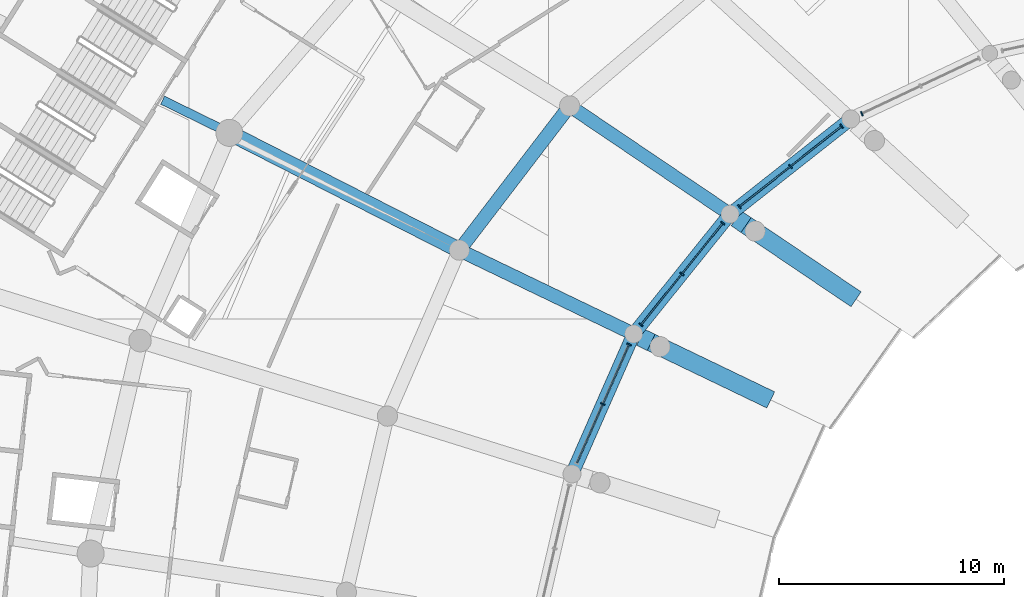
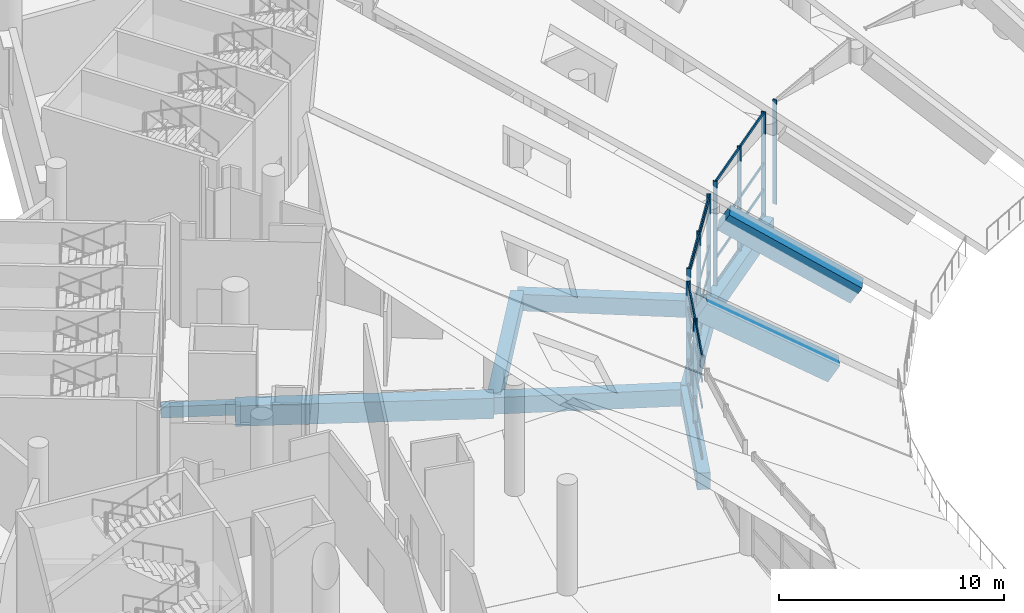
# One storey, part 61 of 249: 37 members, 10 beams, 4 elements without a shape of their own.
"""IFC4 building model written with IfcOpenShell, lengths in metres."""

from ifc_helpers import new_model, si_unit, direction, frame, origin, origin_2d, place, context, subcontext, project, spatial, rectangle, extrude, material, layer, layer_set, material_profile, profile_set, type_object, element, aggregate, save


model = new_model("IFC4")

# Units and contexts
model_context = context("Model", 3, precision=1e-05, world=origin(), true_north=direction((0.0, 1.0)))
body_context = subcontext(model_context, "Body", "Model", "MODEL_VIEW")
ifc_project = project(units=[si_unit("LENGTHUNIT", "METRE"), si_unit("AREAUNIT", "SQUARE_METRE"), si_unit("VOLUMEUNIT", "CUBIC_METRE"), si_unit("PLANEANGLEUNIT", "RADIAN"), si_unit("MASSUNIT", "GRAM", prefix="KILO")], contexts=[model_context])

# Site, building, storey
site_placement = place(None, origin())
site = spatial("IfcSite", under=ifc_project, at=site_placement, CompositionType="ELEMENT")
building_placement = place(site_placement, origin())
building = spatial("IfcBuilding", under=site, at=building_placement, Name="Meseta Stadium", CompositionType="ELEMENT")
storey_placement = place(building_placement, frame((0.0, 0.0, 12.0)))
storey = spatial("IfcBuildingStorey", under=building, at=storey_placement, Name="L02", CompositionType="ELEMENT", Elevation=12.0)

# Curtain wall, member
ifc_material_1 = material(Name="Aluminium", Category="aluminium")
ifc_layer = layer(ifc_material_1, 0.199951171875)
ifc_layer_set = layer_set([ifc_layer], Name="Suite glazing curtain wall")
curtain_wall_type = type_object("IfcCurtainWallType", Name="Suite glazing curtain wall", PredefinedType="NOTDEFINED", material=ifc_layer_set)
curtain_wall_1_placement = place(storey_placement, origin())
curtain_wall_1 = element("IfcCurtainWall", 1, at=curtain_wall_1_placement, inside=storey, type_object=curtain_wall_type, Name="Suite glazing bay 23", PredefinedType="NOTDEFINED")
ifc_material_2 = material(Name="Aluminium", Category="aluminium")
ifc_material_profile_1 = material_profile(ifc_material_2, rectangle(XDim=0.199951171875, YDim=0.06005859375, at=origin_2d()), Name="CW 200x60")
ifc_profile_set_1 = profile_set([ifc_material_profile_1], Name="Aluminium")
member_type_1 = type_object("IfcMemberType", Name="CW mullion 60x200", PredefinedType="MULLION", material=ifc_profile_set_1)
member_1_placement = place(storey_placement, frame((-50.076416015625, 73.12255859375, 0.0), z_axis=(0.0, 0.0, 1.0), x_axis=(0.426837356076, -0.904328409074, 0.0)))
member_1 = element("IfcMember", 2, at=member_1_placement, type_object=member_type_1, Name="CWS mullion 3", PredefinedType="MULLION", context=body_context, shape_type="SweptSolid", body=[
    extrude(rectangle(XDim=0.199951171875, YDim=0.06005859375, at=origin_2d()), origin(), (0.0, 0.0, 1.0), 5.64990234375),
])
aggregate(curtain_wall_1, [member_1])

# Curtain wall, members
curtain_wall_2_placement = place(storey_placement, origin())
curtain_wall_2 = element("IfcCurtainWall", 3, at=curtain_wall_2_placement, inside=storey, type_object=curtain_wall_type, Name="Suite glazing bay 24", PredefinedType="NOTDEFINED")
member_2_placement = place(storey_placement, frame((-50.976318359375, 72.56982421875, 0.0), z_axis=(0.0, 0.0, 1.0), x_axis=(0.61894425509, -0.785434917158, 0.0)))
member_2 = element("IfcMember", 4, at=member_2_placement, type_object=member_type_1, Name="CWS mullion 1", PredefinedType="MULLION", context=body_context, shape_type="SweptSolid", body=[
    extrude(rectangle(XDim=0.199951171875, YDim=0.06005859375, at=origin_2d()), origin(), (0.0, 0.0, 1.0), 5.64990234375),
])
member_3_placement = place(storey_placement, frame((-53.2490234375, 70.77880859375, 0.0), z_axis=(0.0, 0.0, 1.0), x_axis=(0.61894425509, -0.785434917158, 0.0)))
member_3 = element("IfcMember", 5, at=member_3_placement, type_object=member_type_1, Name="CWS mullion 2", PredefinedType="MULLION", context=body_context, shape_type="SweptSolid", body=[
    extrude(rectangle(XDim=0.199951171875, YDim=0.06005859375, at=origin_2d()), origin(), (0.0, 0.0, 1.0), 5.64990234375),
])
member_4_placement = place(storey_placement, frame((-55.521728515625, 68.98779296875, 0.0), z_axis=(0.0, 0.0, 1.0), x_axis=(0.61894425509, -0.785434917158, 0.0)))
member_4 = element("IfcMember", 6, at=member_4_placement, type_object=member_type_1, Name="CWS mullion 3", PredefinedType="MULLION", context=body_context, shape_type="SweptSolid", body=[
    extrude(rectangle(XDim=0.199951171875, YDim=0.06005859375, at=origin_2d()), origin(), (0.0, 0.0, 1.0), 5.64990234375),
])

curtain_wall_3_placement = place(storey_placement, origin())
curtain_wall_3 = element("IfcCurtainWall", 7, at=curtain_wall_3_placement, inside=storey, type_object=curtain_wall_type, Name="Suite glazing bay 25", PredefinedType="NOTDEFINED")
member_5_placement = place(storey_placement, frame((-56.26025390625, 68.260009765625, 0.0), z_axis=(0.0, 0.0, 1.0), x_axis=(0.779453526357, -0.626460054791, 0.0)))
member_5 = element("IfcMember", 8, at=member_5_placement, type_object=member_type_1, Name="CWS mullion 1", PredefinedType="MULLION", context=body_context, shape_type="SweptSolid", body=[
    extrude(rectangle(XDim=0.199951171875, YDim=0.06005859375, at=origin_2d()), origin(), (0.0, 0.0, 1.0), 5.64990234375),
])
member_6_placement = place(storey_placement, frame((-58.07763671875, 65.998779296875, 0.0), z_axis=(0.0, 0.0, 1.0), x_axis=(0.779453526357, -0.626460054791, 0.0)))
member_6 = element("IfcMember", 9, at=member_6_placement, type_object=member_type_1, Name="CWS mullion 2", PredefinedType="MULLION", context=body_context, shape_type="SweptSolid", body=[
    extrude(rectangle(XDim=0.199951171875, YDim=0.06005859375, at=origin_2d()), origin(), (0.0, 0.0, 1.0), 5.64990234375),
])
member_7_placement = place(storey_placement, frame((-59.895263671875, 63.7373046875, 0.0), z_axis=(0.0, 0.0, 1.0), x_axis=(0.779453526357, -0.626460054791, 0.0)))
member_7 = element("IfcMember", 10, at=member_7_placement, type_object=member_type_1, Name="CWS mullion 3", PredefinedType="MULLION", context=body_context, shape_type="SweptSolid", body=[
    extrude(rectangle(XDim=0.199951171875, YDim=0.06005859375, at=origin_2d()), origin(), (0.0, 0.0, 1.0), 5.64990234375),
])

curtain_wall_4_placement = place(storey_placement, origin())
curtain_wall_4 = element("IfcCurtainWall", 11, at=curtain_wall_4_placement, inside=storey, type_object=curtain_wall_type, Name="Suite glazing bay 26", PredefinedType="NOTDEFINED")
member_8_placement = place(storey_placement, frame((-60.42724609375, 62.864501953125, 0.0), z_axis=(0.0, 0.0, 1.0), x_axis=(0.915207323968, -0.402983317466, 0.0)))
member_8 = element("IfcMember", 12, at=member_8_placement, type_object=member_type_1, Name="CWS mullion 1", PredefinedType="MULLION", context=body_context, shape_type="SweptSolid", body=[
    extrude(rectangle(XDim=0.199951171875, YDim=0.06005859375, at=origin_2d()), origin(), (0.0, 0.0, 1.0), 5.64990234375),
])
member_9_placement = place(storey_placement, frame((-61.59228515625, 60.21875, 0.0), z_axis=(0.0, 0.0, 1.0), x_axis=(0.915207323968, -0.402983317466, 0.0)))
member_9 = element("IfcMember", 13, at=member_9_placement, type_object=member_type_1, Name="CWS mullion 2", PredefinedType="MULLION", context=body_context, shape_type="SweptSolid", body=[
    extrude(rectangle(XDim=0.199951171875, YDim=0.06005859375, at=origin_2d()), origin(), (0.0, 0.0, 1.0), 5.64990234375),
])

# Member
ifc_material_3 = material(Name="Aluminium", Category="aluminium")
ifc_material_profile_2 = material_profile(ifc_material_3, rectangle(XDim=0.06005859375, YDim=0.14990234375, at=origin_2d()), Name="CW 60x150")
ifc_profile_set_2 = profile_set([ifc_material_profile_2], Name="Aluminium")
member_type_2 = type_object("IfcMemberType", Name="CW transom 60x150", PredefinedType="USERDEFINED", material=ifc_profile_set_2)
member_10_placement = place(storey_placement, frame((-51.0, 72.55126953125, 0.074951171875), z_axis=(-0.785420592413, -0.618962432635, 0.0), x_axis=(0.618962432635, -0.785420592413, 0.0)))
member_10 = element("IfcMember", 14, at=member_10_placement, type_object=member_type_2, Name="CWS transom 1.1", ObjectType="TRANSOM", PredefinedType="USERDEFINED", context=body_context, shape_type="SweptSolid", body=[
    extrude(rectangle(XDim=0.06005859375, YDim=0.14990234375, at=origin_2d()), origin(), (0.0, 0.0, 1.0), 2.833740234375),
])

member_11_placement = place(storey_placement, frame((-51.0, 72.55126953125, 1.41259765625), z_axis=(-0.785420592413, -0.618962432635, 0.0), x_axis=(0.618962432635, -0.785420592413, 0.0)))
member_11 = element("IfcMember", 15, at=member_11_placement, type_object=member_type_2, Name="CWS transom 1.2", ObjectType="TRANSOM", PredefinedType="USERDEFINED", context=body_context, shape_type="SweptSolid", body=[
    extrude(rectangle(XDim=0.06005859375, YDim=0.14990234375, at=origin_2d()), origin(), (0.0, 0.0, 1.0), 2.833740234375),
])

member_12_placement = place(storey_placement, frame((-51.0, 72.55126953125, 2.824951171875), z_axis=(-0.785420592413, -0.618962432635, 0.0), x_axis=(0.618962432635, -0.785420592413, 0.0)))
member_12 = element("IfcMember", 16, at=member_12_placement, type_object=member_type_2, Name="CWS transom 1.3", ObjectType="TRANSOM", PredefinedType="USERDEFINED", context=body_context, shape_type="SweptSolid", body=[
    extrude(rectangle(XDim=0.06005859375, YDim=0.14990234375, at=origin_2d()), origin(), (0.0, 0.0, 1.0), 2.833740234375),
])

member_13_placement = place(storey_placement, frame((-51.0, 72.55126953125, 5.574951171875), z_axis=(-0.785420592413, -0.618962432635, 0.0), x_axis=(0.618962432635, -0.785420592413, 0.0)))
member_13 = element("IfcMember", 17, at=member_13_placement, type_object=member_type_2, Name="CWS transom 1.4", ObjectType="TRANSOM", PredefinedType="USERDEFINED", context=body_context, shape_type="SweptSolid", body=[
    extrude(rectangle(XDim=0.06005859375, YDim=0.14990234375, at=origin_2d()), origin(), (0.0, 0.0, 1.0), 2.833740234375),
])

member_14_placement = place(storey_placement, frame((-53.272705078125, 70.76025390625, 0.074951171875), z_axis=(-0.785420592413, -0.618962432635, 0.0), x_axis=(0.618962432635, -0.785420592413, 0.0)))
member_14 = element("IfcMember", 18, at=member_14_placement, type_object=member_type_2, Name="CWS transom 2.1", ObjectType="TRANSOM", PredefinedType="USERDEFINED", context=body_context, shape_type="SweptSolid", body=[
    extrude(rectangle(XDim=0.06005859375, YDim=0.14990234375, at=origin_2d()), origin(), (0.0, 0.0, 1.0), 2.833740234375),
])

member_15_placement = place(storey_placement, frame((-53.272705078125, 70.76025390625, 1.41259765625), z_axis=(-0.785420592413, -0.618962432635, 0.0), x_axis=(0.618962432635, -0.785420592413, 0.0)))
member_15 = element("IfcMember", 19, at=member_15_placement, type_object=member_type_2, Name="CWS transom 2.2", ObjectType="TRANSOM", PredefinedType="USERDEFINED", context=body_context, shape_type="SweptSolid", body=[
    extrude(rectangle(XDim=0.06005859375, YDim=0.14990234375, at=origin_2d()), origin(), (0.0, 0.0, 1.0), 2.833740234375),
])

member_16_placement = place(storey_placement, frame((-53.272705078125, 70.76025390625, 2.824951171875), z_axis=(-0.785420592413, -0.618962432635, 0.0), x_axis=(0.618962432635, -0.785420592413, 0.0)))
member_16 = element("IfcMember", 20, at=member_16_placement, type_object=member_type_2, Name="CWS transom 2.3", ObjectType="TRANSOM", PredefinedType="USERDEFINED", context=body_context, shape_type="SweptSolid", body=[
    extrude(rectangle(XDim=0.06005859375, YDim=0.14990234375, at=origin_2d()), origin(), (0.0, 0.0, 1.0), 2.833740234375),
])

member_17_placement = place(storey_placement, frame((-53.272705078125, 70.76025390625, 5.574951171875), z_axis=(-0.785420592413, -0.618962432635, 0.0), x_axis=(0.618962432635, -0.785420592413, 0.0)))
member_17 = element("IfcMember", 21, at=member_17_placement, type_object=member_type_2, Name="CWS transom 2.4", ObjectType="TRANSOM", PredefinedType="USERDEFINED", context=body_context, shape_type="SweptSolid", body=[
    extrude(rectangle(XDim=0.06005859375, YDim=0.14990234375, at=origin_2d()), origin(), (0.0, 0.0, 1.0), 2.833740234375),
])

aggregate(curtain_wall_2, [member_2, member_3, member_4, member_10, member_11, member_12, member_13, member_14, member_15, member_16, member_17])

member_18_placement = place(storey_placement, frame((-56.279052734375, 68.23681640625, 0.074951171875), z_axis=(-0.626391108316, -0.779508934793, 0.0), x_axis=(0.779508934793, -0.626391108316, 0.0)))
member_18 = element("IfcMember", 22, at=member_18_placement, type_object=member_type_2, Name="CWS transom 1.1", ObjectType="TRANSOM", PredefinedType="USERDEFINED", context=body_context, shape_type="SweptSolid", body=[
    extrude(rectangle(XDim=0.06005859375, YDim=0.14990234375, at=origin_2d()), origin(), (0.0, 0.0, 1.0), 2.84130859375),
])

member_19_placement = place(storey_placement, frame((-56.279052734375, 68.23681640625, 1.41259765625), z_axis=(-0.626391108316, -0.779508934793, 0.0), x_axis=(0.779508934793, -0.626391108316, 0.0)))
member_19 = element("IfcMember", 23, at=member_19_placement, type_object=member_type_2, Name="CWS transom 1.2", ObjectType="TRANSOM", PredefinedType="USERDEFINED", context=body_context, shape_type="SweptSolid", body=[
    extrude(rectangle(XDim=0.06005859375, YDim=0.14990234375, at=origin_2d()), origin(), (0.0, 0.0, 1.0), 2.84130859375),
])

member_20_placement = place(storey_placement, frame((-56.279052734375, 68.23681640625, 2.824951171875), z_axis=(-0.626391108316, -0.779508934793, 0.0), x_axis=(0.779508934793, -0.626391108316, 0.0)))
member_20 = element("IfcMember", 24, at=member_20_placement, type_object=member_type_2, Name="CWS transom 1.3", ObjectType="TRANSOM", PredefinedType="USERDEFINED", context=body_context, shape_type="SweptSolid", body=[
    extrude(rectangle(XDim=0.06005859375, YDim=0.14990234375, at=origin_2d()), origin(), (0.0, 0.0, 1.0), 2.84130859375),
])

member_21_placement = place(storey_placement, frame((-56.279052734375, 68.23681640625, 5.307373046875), z_axis=(-0.626391108316, -0.779508934793, 0.0), x_axis=(0.779508934793, -0.626391108316, 0.0)))
member_21 = element("IfcMember", 25, at=member_21_placement, type_object=member_type_2, Name="CWS transom 1.4", ObjectType="TRANSOM", PredefinedType="USERDEFINED", context=body_context, shape_type="SweptSolid", body=[
    extrude(rectangle(XDim=0.06005859375, YDim=0.14990234375, at=origin_2d()), origin(), (0.0, 0.0, 1.0), 2.84130859375),
])

member_22_placement = place(storey_placement, frame((-56.279052734375, 68.23681640625, 5.574951171875), z_axis=(-0.626391108316, -0.779508934793, 0.0), x_axis=(0.779508934793, -0.626391108316, 0.0)))
member_22 = element("IfcMember", 26, at=member_22_placement, type_object=member_type_2, Name="CWS transom 1.5", ObjectType="TRANSOM", PredefinedType="USERDEFINED", context=body_context, shape_type="SweptSolid", body=[
    extrude(rectangle(XDim=0.06005859375, YDim=0.14990234375, at=origin_2d()), origin(), (0.0, 0.0, 1.0), 2.84130859375),
])

member_23_placement = place(storey_placement, frame((-58.096435546875, 65.975341796875, 0.074951171875), z_axis=(-0.626443314889, -0.779466980205, 0.0), x_axis=(0.779466980205, -0.626443314889, 0.0)))
member_23 = element("IfcMember", 27, at=member_23_placement, type_object=member_type_2, Name="CWS transom 2.1", ObjectType="TRANSOM", PredefinedType="USERDEFINED", context=body_context, shape_type="SweptSolid", body=[
    extrude(rectangle(XDim=0.06005859375, YDim=0.14990234375, at=origin_2d()), origin(), (0.0, 0.0, 1.0), 2.841552734375),
])

member_24_placement = place(storey_placement, frame((-58.096435546875, 65.975341796875, 1.41259765625), z_axis=(-0.626443314889, -0.779466980205, 0.0), x_axis=(0.779466980205, -0.626443314889, 0.0)))
member_24 = element("IfcMember", 28, at=member_24_placement, type_object=member_type_2, Name="CWS transom 2.2", ObjectType="TRANSOM", PredefinedType="USERDEFINED", context=body_context, shape_type="SweptSolid", body=[
    extrude(rectangle(XDim=0.06005859375, YDim=0.14990234375, at=origin_2d()), origin(), (0.0, 0.0, 1.0), 2.841552734375),
])

member_25_placement = place(storey_placement, frame((-58.096435546875, 65.975341796875, 2.824951171875), z_axis=(-0.626443314889, -0.779466980205, 0.0), x_axis=(0.779466980205, -0.626443314889, 0.0)))
member_25 = element("IfcMember", 29, at=member_25_placement, type_object=member_type_2, Name="CWS transom 2.3", ObjectType="TRANSOM", PredefinedType="USERDEFINED", context=body_context, shape_type="SweptSolid", body=[
    extrude(rectangle(XDim=0.06005859375, YDim=0.14990234375, at=origin_2d()), origin(), (0.0, 0.0, 1.0), 2.841552734375),
])

member_26_placement = place(storey_placement, frame((-58.096435546875, 65.975341796875, 5.307373046875), z_axis=(-0.626443314889, -0.779466980205, 0.0), x_axis=(0.779466980205, -0.626443314889, 0.0)))
member_26 = element("IfcMember", 30, at=member_26_placement, type_object=member_type_2, Name="CWS transom 2.4", ObjectType="TRANSOM", PredefinedType="USERDEFINED", context=body_context, shape_type="SweptSolid", body=[
    extrude(rectangle(XDim=0.06005859375, YDim=0.14990234375, at=origin_2d()), origin(), (0.0, 0.0, 1.0), 2.841552734375),
])

member_27_placement = place(storey_placement, frame((-58.096435546875, 65.975341796875, 5.574951171875), z_axis=(-0.626443314889, -0.779466980205, 0.0), x_axis=(0.779466980205, -0.626443314889, 0.0)))
member_27 = element("IfcMember", 31, at=member_27_placement, type_object=member_type_2, Name="CWS transom 2.5", ObjectType="TRANSOM", PredefinedType="USERDEFINED", context=body_context, shape_type="SweptSolid", body=[
    extrude(rectangle(XDim=0.06005859375, YDim=0.14990234375, at=origin_2d()), origin(), (0.0, 0.0, 1.0), 2.841552734375),
])

aggregate(curtain_wall_3, [member_5, member_6, member_7, member_18, member_19, member_20, member_21, member_22, member_23, member_24, member_25, member_26, member_27])

member_28_placement = place(storey_placement, frame((-60.439453125, 62.837158203125, 0.074951171875), z_axis=(-0.402975573282, -0.915210733841, 0.0), x_axis=(0.915210733841, -0.402975573282, 0.0)))
member_28 = element("IfcMember", 32, at=member_28_placement, type_object=member_type_2, Name="CWS transom 1.1", ObjectType="TRANSOM", PredefinedType="USERDEFINED", context=body_context, shape_type="SweptSolid", body=[
    extrude(rectangle(XDim=0.06005859375, YDim=0.14990234375, at=origin_2d()), origin(), (0.0, 0.0, 1.0), 2.8310546875),
])

member_29_placement = place(storey_placement, frame((-60.439453125, 62.837158203125, 1.41259765625), z_axis=(-0.402975573282, -0.915210733841, 0.0), x_axis=(0.915210733841, -0.402975573282, 0.0)))
member_29 = element("IfcMember", 33, at=member_29_placement, type_object=member_type_2, Name="CWS transom 1.2", ObjectType="TRANSOM", PredefinedType="USERDEFINED", context=body_context, shape_type="SweptSolid", body=[
    extrude(rectangle(XDim=0.06005859375, YDim=0.14990234375, at=origin_2d()), origin(), (0.0, 0.0, 1.0), 2.8310546875),
])

member_30_placement = place(storey_placement, frame((-60.439453125, 62.837158203125, 2.824951171875), z_axis=(-0.402975573282, -0.915210733841, 0.0), x_axis=(0.915210733841, -0.402975573282, 0.0)))
member_30 = element("IfcMember", 34, at=member_30_placement, type_object=member_type_2, Name="CWS transom 1.3", ObjectType="TRANSOM", PredefinedType="USERDEFINED", context=body_context, shape_type="SweptSolid", body=[
    extrude(rectangle(XDim=0.06005859375, YDim=0.14990234375, at=origin_2d()), origin(), (0.0, 0.0, 1.0), 2.8310546875),
])

member_31_placement = place(storey_placement, frame((-60.439453125, 62.837158203125, 4.237548828125), z_axis=(-0.402975573282, -0.915210733841, 0.0), x_axis=(0.915210733841, -0.402975573282, 0.0)))
member_31 = element("IfcMember", 35, at=member_31_placement, type_object=member_type_2, Name="CWS transom 1.4", ObjectType="TRANSOM", PredefinedType="USERDEFINED", context=body_context, shape_type="SweptSolid", body=[
    extrude(rectangle(XDim=0.06005859375, YDim=0.14990234375, at=origin_2d()), origin(), (0.0, 0.0, 1.0), 2.8310546875),
])

member_32_placement = place(storey_placement, frame((-60.439453125, 62.837158203125, 5.574951171875), z_axis=(-0.402975573282, -0.915210733841, 0.0), x_axis=(0.915210733841, -0.402975573282, 0.0)))
member_32 = element("IfcMember", 36, at=member_32_placement, type_object=member_type_2, Name="CWS transom 1.5", ObjectType="TRANSOM", PredefinedType="USERDEFINED", context=body_context, shape_type="SweptSolid", body=[
    extrude(rectangle(XDim=0.06005859375, YDim=0.14990234375, at=origin_2d()), origin(), (0.0, 0.0, 1.0), 2.8310546875),
])

member_33_placement = place(storey_placement, frame((-61.6044921875, 60.191162109375, 0.074951171875), z_axis=(-0.402935141114, -0.915228535425, 0.0), x_axis=(0.915228535425, -0.402935141114, 0.0)))
member_33 = element("IfcMember", 37, at=member_33_placement, type_object=member_type_2, Name="CWS transom 2.1", ObjectType="TRANSOM", PredefinedType="USERDEFINED", context=body_context, shape_type="SweptSolid", body=[
    extrude(rectangle(XDim=0.06005859375, YDim=0.14990234375, at=origin_2d()), origin(), (0.0, 0.0, 1.0), 2.830810546875),
])

member_34_placement = place(storey_placement, frame((-61.6044921875, 60.191162109375, 1.41259765625), z_axis=(-0.402935141114, -0.915228535425, 0.0), x_axis=(0.915228535425, -0.402935141114, 0.0)))
member_34 = element("IfcMember", 38, at=member_34_placement, type_object=member_type_2, Name="CWS transom 2.2", ObjectType="TRANSOM", PredefinedType="USERDEFINED", context=body_context, shape_type="SweptSolid", body=[
    extrude(rectangle(XDim=0.06005859375, YDim=0.14990234375, at=origin_2d()), origin(), (0.0, 0.0, 1.0), 2.830810546875),
])

member_35_placement = place(storey_placement, frame((-61.6044921875, 60.191162109375, 2.824951171875), z_axis=(-0.402935141114, -0.915228535425, 0.0), x_axis=(0.915228535425, -0.402935141114, 0.0)))
member_35 = element("IfcMember", 39, at=member_35_placement, type_object=member_type_2, Name="CWS transom 2.3", ObjectType="TRANSOM", PredefinedType="USERDEFINED", context=body_context, shape_type="SweptSolid", body=[
    extrude(rectangle(XDim=0.06005859375, YDim=0.14990234375, at=origin_2d()), origin(), (0.0, 0.0, 1.0), 2.830810546875),
])

member_36_placement = place(storey_placement, frame((-61.6044921875, 60.191162109375, 4.237548828125), z_axis=(-0.402935141114, -0.915228535425, 0.0), x_axis=(0.915228535425, -0.402935141114, 0.0)))
member_36 = element("IfcMember", 40, at=member_36_placement, type_object=member_type_2, Name="CWS transom 2.4", ObjectType="TRANSOM", PredefinedType="USERDEFINED", context=body_context, shape_type="SweptSolid", body=[
    extrude(rectangle(XDim=0.06005859375, YDim=0.14990234375, at=origin_2d()), origin(), (0.0, 0.0, 1.0), 2.830810546875),
])

member_37_placement = place(storey_placement, frame((-61.6044921875, 60.191162109375, 5.574951171875), z_axis=(-0.402935141114, -0.915228535425, 0.0), x_axis=(0.915228535425, -0.402935141114, 0.0)))
member_37 = element("IfcMember", 41, at=member_37_placement, type_object=member_type_2, Name="CWS transom 2.5", ObjectType="TRANSOM", PredefinedType="USERDEFINED", context=body_context, shape_type="SweptSolid", body=[
    extrude(rectangle(XDim=0.06005859375, YDim=0.14990234375, at=origin_2d()), origin(), (0.0, 0.0, 1.0), 2.830810546875),
])

aggregate(curtain_wall_4, [member_8, member_9, member_28, member_29, member_30, member_31, member_32, member_33, member_34, member_35, member_36, member_37])

# Beams
ifc_material_4 = material(Name="Concrete C40/50", Category="concrete")
ifc_material_profile_3 = material_profile(ifc_material_4, rectangle(XDim=0.39990234375, YDim=0.60009765625, at=origin_2d()), Name="RC 400x600")
ifc_profile_set_3 = profile_set([ifc_material_profile_3], Name="Concrete C40/50")
beam_type_1 = type_object("IfcBeamType", Name="RC beam 400x600", PredefinedType="BEAM", material=ifc_profile_set_3)
beam_1_placement = place(storey_placement, frame((-78.197998046875, 72.27197265625, -0.64990234375), z_axis=(-0.898132346212, 0.439725242267, 0.0), x_axis=(-0.439725242267, -0.898132346212, 0.0)))
element("IfcBeam", 42, at=beam_1_placement, inside=storey, type_object=beam_type_1, Name="L02 radial beam frame 26 line P to R", PredefinedType="BEAM", context=body_context, shape_type="SweptSolid", body=[
    extrude(rectangle(XDim=0.39990234375, YDim=0.60009765625, at=origin_2d()), origin(), (0.0, 0.0, 1.0), 3.306396484375),
])
ifc_material_5 = material(Name="Concrete C40/50", Category="concrete")
ifc_material_profile_4 = material_profile(ifc_material_5, rectangle(XDim=0.60009765625, YDim=0.89990234375, at=origin_2d()), Name="RC 600x900")
ifc_profile_set_4 = profile_set([ifc_material_profile_4], Name="Concrete C40/50")
beam_type_2 = type_object("IfcBeamType", Name="RC beam 600x900", PredefinedType="BEAM", material=ifc_profile_set_4)
for number, where, z_axis, x_axis, name in (
    (43, (-50.571533203125, 72.888916015625, -0.800048828125), (-0.785430108596, -0.618950357065, 0.0), (0.618950357065, -0.785430108596, 0.0), "L02 ring beam frame 24 line D"),
    (44, (-55.940185546875, 68.658203125, -0.800048828125), (-0.626466293445, -0.779448512204, 0.0), (0.779448512204, -0.626466293445, 0.0), "L02 ring beam frame 25 line D"),
):
    element("IfcBeam", number, at=place(storey_placement, frame(where, z_axis=z_axis, x_axis=x_axis)), inside=storey, type_object=beam_type_2, Name=name, PredefinedType="BEAM", context=body_context, shape_type="SweptSolid", body=[
        extrude(rectangle(XDim=0.60009765625, YDim=0.89990234375, at=origin_2d()), origin(), (0.0, 0.0, 1.0), 6.835205078125),
    ])
beam_2_placement = place(storey_placement, frame((-63.068115234375, 73.469970703125, -0.800048828125), z_axis=(-0.607521948786, -0.794302890428, 0.0), x_axis=(0.794302890428, -0.607521948786, 0.0)))
element("IfcBeam", 45, at=beam_2_placement, inside=storey, type_object=beam_type_2, Name="L02 ring beam frame 25 line E", PredefinedType="BEAM", context=body_context, shape_type="SweptSolid", body=[
    extrude(rectangle(XDim=0.60009765625, YDim=0.89990234375, at=origin_2d()), origin(), (0.0, 0.0, 1.0), 8.072509765625),
])
beam_3_placement = place(storey_placement, frame((-60.22216796875, 63.33056640625, -0.800048828125), z_axis=(-0.402982741988, -0.915207577361, 0.0), x_axis=(0.915207577361, -0.402982741988, 0.0)))
element("IfcBeam", 46, at=beam_3_placement, inside=storey, type_object=beam_type_2, Name="L02 ring beam frame 26 line D", PredefinedType="BEAM", context=body_context, shape_type="SweptSolid", body=[
    extrude(rectangle(XDim=0.60009765625, YDim=0.89990234375, at=origin_2d()), origin(), (0.0, 0.0, 1.0), 6.802978515625),
])
beam_4_placement = place(storey_placement, frame((-55.940185546875, 68.658203125, -0.800048828125), z_axis=(-0.828826294275, 0.559506008832, 0.0), x_axis=(-0.559506008832, -0.828826294275, 0.0)))
element("IfcBeam", 47, at=beam_4_placement, inside=storey, type_object=beam_type_2, Name="L02 radial beam frame 25 line D to E", PredefinedType="BEAM", context=body_context, shape_type="SweptSolid", body=[
    extrude(rectangle(XDim=0.60009765625, YDim=0.89990234375, at=origin_2d()), origin(), (0.0, 0.0, 1.0), 8.60009765625),
])
beam_5_placement = place(storey_placement, frame((-60.22216796875, 63.33056640625, -0.800048828125), z_axis=(-0.901197200503, 0.433409282094, 0.0), x_axis=(-0.433409282094, -0.901197200503, 0.0)))
element("IfcBeam", 48, at=beam_5_placement, inside=storey, type_object=beam_type_2, Name="L02 radial beam frame 26 line D to E", PredefinedType="BEAM", context=body_context, shape_type="SweptSolid", body=[
    extrude(rectangle(XDim=0.60009765625, YDim=0.89990234375, at=origin_2d()), origin(), (0.0, 0.0, 1.0), 8.599853515625),
])
ifc_material_6 = material(Name="Concrete C40/50", Category="concrete")
ifc_material_profile_5 = material_profile(ifc_material_6, rectangle(XDim=0.699951171875, YDim=1.10009765625, at=origin_2d()), Name="RC 700x1100")
ifc_profile_set_5 = profile_set([ifc_material_profile_5], Name="Concrete C40/50")
beam_type_3 = type_object("IfcBeamType", Name="RC beam 700x1100", PredefinedType="BEAM", material=ifc_profile_set_5)
beam_6_placement = place(storey_placement, frame((-67.972412109375, 67.057861328125, -0.89990234375), z_axis=(-0.890868510984, 0.454261264184, 0.0), x_axis=(-0.454261264184, -0.890868510984, 0.0)))
element("IfcBeam", 49, at=beam_6_placement, inside=storey, type_object=beam_type_3, Name="L02 radial beam frame 26 line E to P", PredefinedType="BEAM", context=body_context, shape_type="SweptSolid", body=[
    extrude(rectangle(XDim=0.699951171875, YDim=1.10009765625, at=origin_2d()), origin(), (0.0, 0.0, 1.0), 11.478271484375),
])
ifc_material_7 = material(Name="Concrete C40/50", Category="concrete")
ifc_material_profile_6 = material_profile(ifc_material_7, rectangle(XDim=0.800048828125, YDim=1.0, at=origin_2d()), Name="RC 800x1000")
ifc_profile_set_6 = profile_set([ifc_material_profile_6], Name="Concrete C40/50")
beam_type_4 = type_object("IfcBeamType", Name="RC raker upper front 800x1000", PredefinedType="USERDEFINED", material=ifc_profile_set_6)
for number, where, z_axis, x_axis, name in (
    (50, (-50.552978515625, 65.021240234375, 0.368896484375), (-0.703348599251, 0.474821755321, 0.529003826646), (-0.559522600804, -0.828815093485, 0.0), "Raker upper front frame 25 upper tier"),
    (51, (-54.3642578125, 60.513427734375, 0.200927734375), (-0.764771792007, 0.367795571398, 0.529009001634), (-0.433406251215, -0.901198658126, 0.0), "Raker upper front frame 26 upper tier"),
):
    element("IfcBeam", number, at=place(storey_placement, frame(where, z_axis=z_axis, x_axis=x_axis)), inside=storey, type_object=beam_type_4, Name=name, ObjectType="RAKER", PredefinedType="USERDEFINED", context=body_context, shape_type="SweptSolid", body=[
        extrude(rectangle(XDim=0.800048828125, YDim=1.0, at=origin_2d()), origin(), (0.0, 0.0, 1.0), 6.95263671875),
    ])

save(model, "model.ifc")
